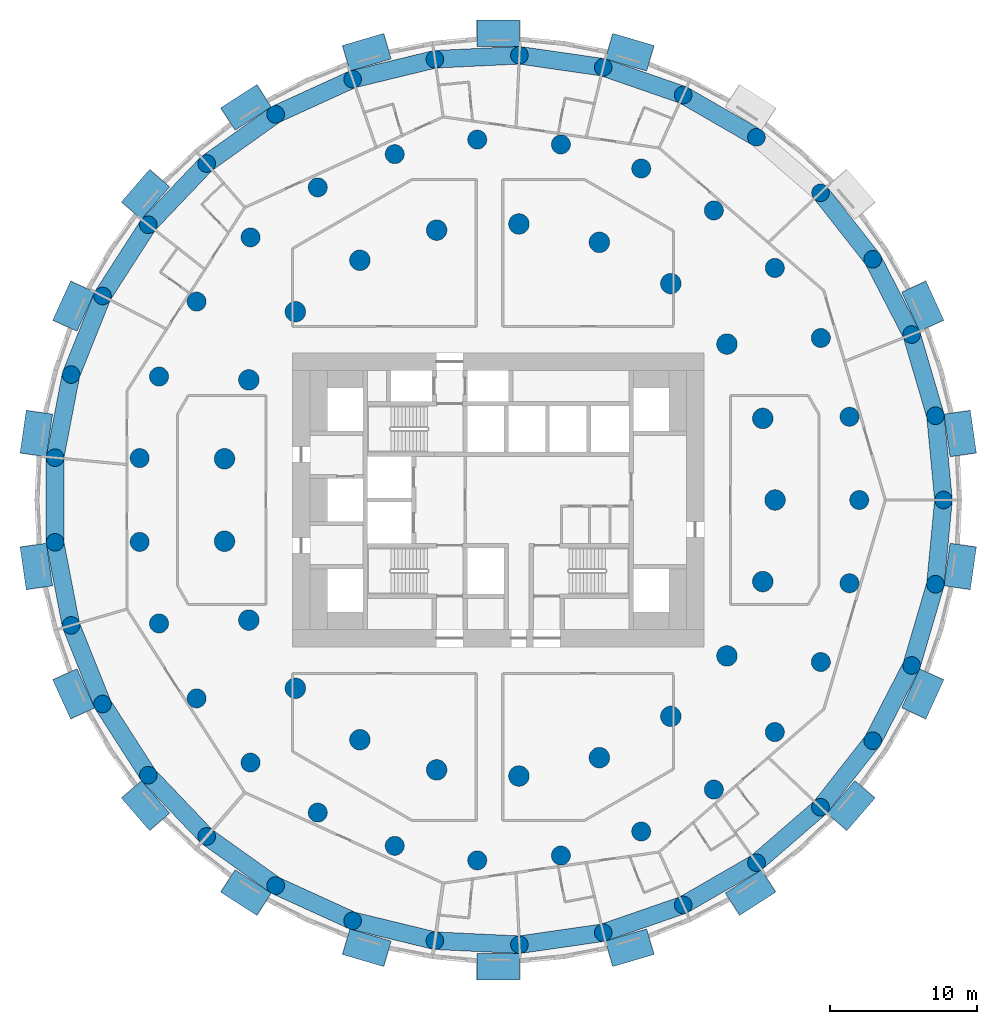
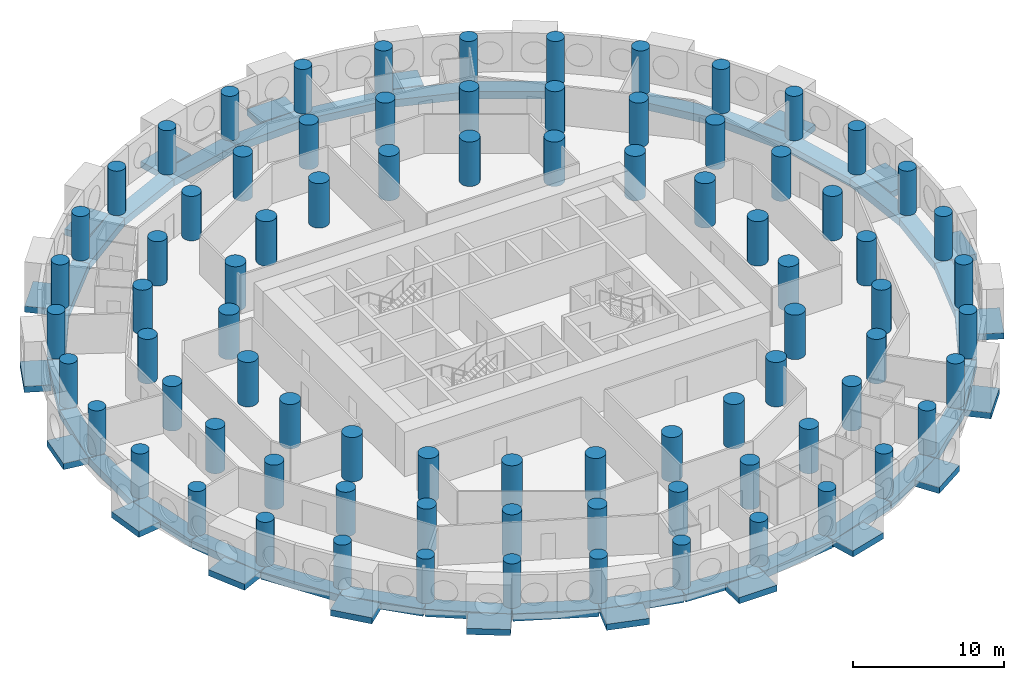
# One storey, part 1 of 11: 81 columns, 52 beams.
"""IFC4 building model written with IfcOpenShell, lengths in metres."""

from ifc_helpers import new_model, si_unit, direction, frame, origin, origin_2d, place, context, subcontext, project, spatial, rectangle, circle, extrude, material, material_profile, profile_set, type_object, element, save


model = new_model("IFC4")

# Units and contexts
model_context = context("Model", 3, precision=1e-05, world=origin(), true_north=direction((0.0, 1.0)))
body_context = subcontext(model_context, "Body", "Model", "MODEL_VIEW")
ifc_project = project(units=[si_unit("LENGTHUNIT", "METRE"), si_unit("AREAUNIT", "SQUARE_METRE"), si_unit("VOLUMEUNIT", "CUBIC_METRE"), si_unit("PLANEANGLEUNIT", "RADIAN"), si_unit("MASSUNIT", "GRAM", prefix="KILO")], contexts=[model_context])

# Site, building, storey
site_placement = place(None, origin())
site = spatial("IfcSite", under=ifc_project, at=site_placement, CompositionType="ELEMENT")
building_placement = place(site_placement, origin())
building = spatial("IfcBuilding", under=site, at=building_placement, Name="Tracery Tower", CompositionType="ELEMENT")
storey_placement = place(building_placement, frame((0.0, 0.0, 100.199951171875)))
storey = spatial("IfcBuildingStorey", under=building, at=storey_placement, Name="L25", CompositionType="ELEMENT", Elevation=100.199951171875)

# Columns
ifc_material_1 = material(Name="Concrete C60/75", Category="concrete")
ifc_material_profile_1 = material_profile(ifc_material_1, circle(Radius=0.60009765625, at=origin_2d()), Name="RC D1200")
ifc_profile_set_1 = profile_set([ifc_material_profile_1], Name="Concrete C60/75")
column_type_1 = type_object("IfcColumnType", Name="Ring 0 column 1200", PredefinedType="COLUMN", material=ifc_profile_set_1)
for number, where, z_axis, x_axis, name in (
    (1, (30.274658203125, 0.0, 0.0), (0.0, 0.0, 1.0), (1.0, 0.0, 0.0), "Ring 0 column 00 at L25"),
    (2, (29.7275390625, 5.7294921875, 0.0), (0.0, 0.0, 1.0), (1.0, 0.0, 0.0), "Ring 0 column 01 at L25"),
    (3, (28.10595703125, 11.251953125, 0.0), (0.0, 0.0, 1.0), (1.0, 0.0, 0.0), "Ring 0 column 02 at L25"),
    (4, (25.468505859375, 16.36767578125, 0.0), (0.0, 0.0, 1.0), (1.0, 0.0, 0.0), "Ring 0 column 03 at L25"),
    (5, (21.910888671875, 20.891845703125, 0.0), (0.0, 0.0, 1.0), (1.0, 0.0, 0.0), "Ring 0 column 04 at L25"),
    (6, (17.56103515625, 24.660888671875, 0.0), (0.0, 0.0, 1.0), (1.0, 0.0, 0.0), "Ring 0 column 05 at L25"),
    (7, (12.576416015625, 27.538818359375, 0.0), (0.0, 0.0, 1.0), (1.0, 0.0, 0.0), "Ring 0 column 06 at L25"),
    (8, (7.137451171875, 29.421142578125, 0.0), (0.0, 0.0, 1.0), (1.0, 0.0, 0.0), "Ring 0 column 07 at L25"),
    (9, (1.4404296875, 30.240234375, 0.0), (0.0, 0.0, 1.0), (1.0, 0.0, 0.0), "Ring 0 column 08 at L25"),
    (10, (-4.30859375, 29.96630859375, 0.0), (0.0, 0.0, 1.0), (1.0, 0.0, 0.0), "Ring 0 column 09 at L25"),
    (11, (-9.90185546875, 28.609619140625, 0.0), (0.0, 0.0, 1.0), (1.0, 0.0, 0.0), "Ring 0 column 10 at L25"),
    (12, (-15.13720703125, 26.218505859375, 0.0), (0.0, 0.0, 1.0), (1.0, 0.0, 0.0), "Ring 0 column 11 at L25"),
    (13, (-19.82568359375, 22.8798828125, 0.0), (0.0, 0.0, 1.0), (1.0, 0.0, 0.0), "Ring 0 column 12 at L25"),
    (14, (-23.79736328125, 18.714599609375, 0.0), (0.0, 0.0, 1.0), (1.0, 0.0, 0.0), "Ring 0 column 13 at L25"),
    (15, (-26.9091796875, 13.87255859375, 0.0), (0.0, 0.0, 1.0), (1.0, 0.0, 0.0), "Ring 0 column 14 at L25"),
    (16, (-29.04833984375, 8.529296875, 0.0), (0.0, 0.0, 1.0), (1.0, 0.0, 0.0), "Ring 0 column 15 at L25"),
    (17, (-30.137451171875, 2.877685546875, 0.0), (0.0, 0.0, 1.0), (1.0, 0.0, 0.0), "Ring 0 column 16 at L25"),
    (18, (-30.137451171875, -2.877685546875, 0.0), (0.0, 0.0, 1.0), (1.0, 0.0, 0.0), "Ring 0 column 17 at L25"),
    (19, (-29.04833984375, -8.529296875, 0.0), (0.0, 0.0, 1.0), (1.0, 0.0, 0.0), "Ring 0 column 18 at L25"),
    (20, (-26.9091796875, -13.87255859375, 0.0), (0.0, 0.0, 1.0), (1.0, 0.0, 0.0), "Ring 0 column 19 at L25"),
    (21, (-23.79736328125, -18.714599609375, 0.0), (0.0, 0.0, 1.0), (1.0, 0.0, 0.0), "Ring 0 column 20 at L25"),
    (22, (-19.82568359375, -22.8798828125, 0.0), (0.0, 0.0, 1.0), (1.0, 0.0, 0.0), "Ring 0 column 21 at L25"),
    (23, (-15.13720703125, -26.218505859375, 0.0), (0.0, 0.0, 1.0), (1.0, 0.0, 0.0), "Ring 0 column 22 at L25"),
    (24, (-9.90185546875, -28.609619140625, 0.0), (0.0, 0.0, 1.0), (1.0, 0.0, 0.0), "Ring 0 column 23 at L25"),
    (25, (-4.30859375, -29.96630859375, 0.0), (0.0, 0.0, 1.0), (1.0, 0.0, 0.0), "Ring 0 column 24 at L25"),
    (26, (1.4404296875, -30.240234375, 0.0), (0.0, 0.0, 1.0), (1.0, 0.0, 0.0), "Ring 0 column 25 at L25"),
    (27, (7.137451171875, -29.421142578125, 0.0), (0.0, 0.0, 1.0), (1.0, 0.0, 0.0), "Ring 0 column 26 at L25"),
    (28, (12.576416015625, -27.538818359375, 0.0), (0.0, 0.0, 1.0), (1.0, 0.0, 0.0), "Ring 0 column 27 at L25"),
    (29, (17.56103515625, -24.660888671875, 0.0), (0.0, 0.0, 1.0), (1.0, 0.0, 0.0), "Ring 0 column 28 at L25"),
    (30, (21.910888671875, -20.891845703125, 0.0), (0.0, 0.0, 1.0), (1.0, 0.0, 0.0), "Ring 0 column 29 at L25"),
    (31, (25.468505859375, -16.36767578125, 0.0), (0.0, 0.0, 1.0), (1.0, 0.0, 0.0), "Ring 0 column 30 at L25"),
    (32, (28.10595703125, -11.251953125, 0.0), (0.0, 0.0, 1.0), (1.0, 0.0, 0.0), "Ring 0 column 31 at L25"),
    (33, (29.7275390625, -5.7294921875, 0.0), (0.0, 0.0, 1.0), (1.0, 0.0, 0.0), "Ring 0 column 32 at L25"),
):
    element("IfcColumn", number, at=place(storey_placement, frame(where, z_axis=z_axis, x_axis=x_axis)), inside=storey, type_object=column_type_1, Name=name, PredefinedType="COLUMN", context=body_context, shape_type="SweptSolid", body=[
        extrude(circle(Radius=0.60009765625, at=origin_2d()), origin(), (0.0, 0.0, 1.0), 3.60009765625),
    ])
ifc_material_2 = material(Name="Concrete C60/75", Category="concrete")
ifc_material_profile_2 = material_profile(ifc_material_2, circle(Radius=0.64990234375, at=origin_2d()), Name="RC D1300")
ifc_profile_set_2 = profile_set([ifc_material_profile_2], Name="Concrete C60/75")
column_type_2 = type_object("IfcColumnType", Name="Ring 1 column 1300", PredefinedType="COLUMN", material=ifc_profile_set_2)
for number, where, z_axis, x_axis, name in (
    (34, (24.547607421875, 0.0, 0.0), (0.0, 0.0, 1.0), (1.0, 0.0, 0.0), "Ring 1 column 00 at L25"),
    (35, (23.885986328125, 5.6611328125, 0.0), (0.0, 0.0, 1.0), (1.0, 0.0, 0.0), "Ring 1 column 01 at L25"),
    (36, (21.9365234375, 11.01708984375, 0.0), (0.0, 0.0, 1.0), (1.0, 0.0, 0.0), "Ring 1 column 02 at L25"),
    (37, (18.8046875, 15.779052734375, 0.0), (0.0, 0.0, 1.0), (1.0, 0.0, 0.0), "Ring 1 column 03 at L25"),
    (38, (14.658935546875, 19.690185546875, 0.0), (0.0, 0.0, 1.0), (1.0, 0.0, 0.0), "Ring 1 column 04 at L25"),
    (39, (9.722900390625, 22.5400390625, 0.0), (0.0, 0.0, 1.0), (1.0, 0.0, 0.0), "Ring 1 column 05 at L25"),
    (40, (4.2626953125, 24.1748046875, 0.0), (0.0, 0.0, 1.0), (1.0, 0.0, 0.0), "Ring 1 column 06 at L25"),
    (41, (-1.42724609375, 24.506103515625, 0.0), (0.0, 0.0, 1.0), (1.0, 0.0, 0.0), "Ring 1 column 07 at L25"),
    (42, (-7.040283203125, 23.516357421875, 0.0), (0.0, 0.0, 1.0), (1.0, 0.0, 0.0), "Ring 1 column 08 at L25"),
    (43, (-12.273681640625, 21.2587890625, 0.0), (0.0, 0.0, 1.0), (1.0, 0.0, 0.0), "Ring 1 column 09 at L25"),
    (44, (-16.845703125, 17.855224609375, 0.0), (0.0, 0.0, 1.0), (1.0, 0.0, 0.0), "Ring 1 column 10 at L25"),
    (45, (-20.50927734375, 13.4892578125, 0.0), (0.0, 0.0, 1.0), (1.0, 0.0, 0.0), "Ring 1 column 11 at L25"),
    (46, (-23.0673828125, 8.395751953125, 0.0), (0.0, 0.0, 1.0), (1.0, 0.0, 0.0), "Ring 1 column 12 at L25"),
    (47, (-24.381591796875, 2.849853515625, 0.0), (0.0, 0.0, 1.0), (1.0, 0.0, 0.0), "Ring 1 column 13 at L25"),
    (48, (-24.381591796875, -2.849853515625, 0.0), (0.0, 0.0, 1.0), (1.0, 0.0, 0.0), "Ring 1 column 14 at L25"),
    (49, (-23.0673828125, -8.395751953125, 0.0), (0.0, 0.0, 1.0), (1.0, 0.0, 0.0), "Ring 1 column 15 at L25"),
    (50, (-20.50927734375, -13.4892578125, 0.0), (0.0, 0.0, 1.0), (1.0, 0.0, 0.0), "Ring 1 column 16 at L25"),
    (51, (-16.845703125, -17.85546875, 0.0), (0.0, 0.0, 1.0), (1.0, 0.0, 0.0), "Ring 1 column 17 at L25"),
    (52, (-12.27392578125, -21.2587890625, 0.0), (0.0, 0.0, 1.0), (1.0, 0.0, 0.0), "Ring 1 column 18 at L25"),
    (53, (-7.040283203125, -23.516357421875, 0.0), (0.0, 0.0, 1.0), (1.0, 0.0, 0.0), "Ring 1 column 19 at L25"),
    (54, (-1.42724609375, -24.506103515625, 0.0), (0.0, 0.0, 1.0), (1.0, 0.0, 0.0), "Ring 1 column 20 at L25"),
    (55, (4.2626953125, -24.1748046875, 0.0), (0.0, 0.0, 1.0), (1.0, 0.0, 0.0), "Ring 1 column 21 at L25"),
    (56, (9.722900390625, -22.5400390625, 0.0), (0.0, 0.0, 1.0), (1.0, 0.0, 0.0), "Ring 1 column 22 at L25"),
    (57, (14.658935546875, -19.690185546875, 0.0), (0.0, 0.0, 1.0), (1.0, 0.0, 0.0), "Ring 1 column 23 at L25"),
    (58, (18.8046875, -15.779052734375, 0.0), (0.0, 0.0, 1.0), (1.0, 0.0, 0.0), "Ring 1 column 24 at L25"),
    (59, (21.9365234375, -11.01708984375, 0.0), (0.0, 0.0, 1.0), (1.0, 0.0, 0.0), "Ring 1 column 25 at L25"),
    (60, (23.885986328125, -5.6611328125, 0.0), (0.0, 0.0, 1.0), (1.0, 0.0, 0.0), "Ring 1 column 26 at L25"),
):
    element("IfcColumn", number, at=place(storey_placement, frame(where, z_axis=z_axis, x_axis=x_axis)), inside=storey, type_object=column_type_2, Name=name, PredefinedType="COLUMN", context=body_context, shape_type="SweptSolid", body=[
        extrude(circle(Radius=0.64990234375, at=origin_2d()), origin(), (0.0, 0.0, 1.0), 3.60009765625),
    ])
ifc_material_3 = material(Name="Concrete C60/75", Category="concrete")
ifc_material_profile_3 = material_profile(ifc_material_3, circle(Radius=0.699951171875, at=origin_2d()), Name="RC D1400")
ifc_profile_set_3 = profile_set([ifc_material_profile_3], Name="Concrete C60/75")
column_type_3 = type_object("IfcColumnType", Name="Ring 2 column 1400", PredefinedType="COLUMN", material=ifc_profile_set_3)
for number, where, z_axis, x_axis, name in (
    (61, (18.822265625, 0.0, 0.0), (0.0, 0.0, 1.0), (1.0, 0.0, 0.0), "Ring 2 column 00 at L25"),
    (62, (17.986083984375, 5.5478515625, 0.0), (0.0, 0.0, 1.0), (1.0, 0.0, 0.0), "Ring 2 column 01 at L25"),
    (63, (15.551513671875, 10.602783203125, 0.0), (0.0, 0.0, 1.0), (1.0, 0.0, 0.0), "Ring 2 column 02 at L25"),
    (64, (11.7353515625, 14.7158203125, 0.0), (0.0, 0.0, 1.0), (1.0, 0.0, 0.0), "Ring 2 column 03 at L25"),
    (65, (6.87646484375, 17.52099609375, 0.0), (0.0, 0.0, 1.0), (1.0, 0.0, 0.0), "Ring 2 column 04 at L25"),
    (66, (1.406494140625, 18.76953125, 0.0), (0.0, 0.0, 1.0), (1.0, 0.0, 0.0), "Ring 2 column 05 at L25"),
    (67, (-4.188232421875, 18.350341796875, 0.0), (0.0, 0.0, 1.0), (1.0, 0.0, 0.0), "Ring 2 column 06 at L25"),
    (68, (-9.4111328125, 16.300537109375, 0.0), (0.0, 0.0, 1.0), (1.0, 0.0, 0.0), "Ring 2 column 07 at L25"),
    (69, (-13.797607421875, 12.802490234375, 0.0), (0.0, 0.0, 1.0), (1.0, 0.0, 0.0), "Ring 2 column 08 at L25"),
    (70, (-16.958251953125, 8.16650390625, 0.0), (0.0, 0.0, 1.0), (1.0, 0.0, 0.0), "Ring 2 column 09 at L25"),
    (71, (-18.612060546875, 2.805419921875, 0.0), (0.0, 0.0, 1.0), (1.0, 0.0, 0.0), "Ring 2 column 10 at L25"),
    (72, (-18.612060546875, -2.805419921875, 0.0), (0.0, 0.0, 1.0), (1.0, 0.0, 0.0), "Ring 2 column 11 at L25"),
    (73, (-16.958251953125, -8.166748046875, 0.0), (0.0, 0.0, 1.0), (1.0, 0.0, 0.0), "Ring 2 column 12 at L25"),
    (74, (-13.797607421875, -12.80224609375, 0.0), (0.0, 0.0, 1.0), (1.0, 0.0, 0.0), "Ring 2 column 13 at L25"),
    (75, (-9.4111328125, -16.300537109375, 0.0), (0.0, 0.0, 1.0), (1.0, 0.0, 0.0), "Ring 2 column 14 at L25"),
    (76, (-4.188232421875, -18.350341796875, 0.0), (0.0, 0.0, 1.0), (1.0, 0.0, 0.0), "Ring 2 column 15 at L25"),
    (77, (1.406494140625, -18.76953125, 0.0), (0.0, 0.0, 1.0), (1.0, 0.0, 0.0), "Ring 2 column 16 at L25"),
    (78, (6.87646484375, -17.52099609375, 0.0), (0.0, 0.0, 1.0), (1.0, 0.0, 0.0), "Ring 2 column 17 at L25"),
    (79, (11.7353515625, -14.7158203125, 0.0), (0.0, 0.0, 1.0), (1.0, 0.0, 0.0), "Ring 2 column 18 at L25"),
    (80, (15.551513671875, -10.602783203125, 0.0), (0.0, 0.0, 1.0), (1.0, 0.0, 0.0), "Ring 2 column 19 at L25"),
    (81, (17.986083984375, -5.5478515625, 0.0), (0.0, 0.0, 1.0), (1.0, 0.0, 0.0), "Ring 2 column 20 at L25"),
):
    element("IfcColumn", number, at=place(storey_placement, frame(where, z_axis=z_axis, x_axis=x_axis)), inside=storey, type_object=column_type_3, Name=name, PredefinedType="COLUMN", context=body_context, shape_type="SweptSolid", body=[
        extrude(circle(Radius=0.699951171875, at=origin_2d()), origin(), (0.0, 0.0, 1.0), 3.60009765625),
    ])

# Beams
ifc_material_4 = material(Name="Concrete C60/75", Category="concrete")
ifc_material_profile_4 = material_profile(ifc_material_4, rectangle(XDim=1.81005859375, YDim=0.5, at=origin_2d()), Name="RC 1810x500")
ifc_profile_set_4 = profile_set([ifc_material_profile_4], Name="Concrete C60/75")
beam_type_1 = type_object("IfcBeamType", Name="Bay seat beam 1810 x 500", PredefinedType="BEAM", material=ifc_profile_set_4)
beam_1_placement = place(storey_placement, frame((31.61865234375, 3.071044921875, -0.699951171875), z_axis=(-0.142299174504, 0.989823693864, 0.0), x_axis=(-0.989823693864, -0.142299174504, 0.0)))
element("IfcBeam", 82, at=beam_1_placement, inside=storey, type_object=beam_type_1, Name="Bay seat beam 2 at L25", PredefinedType="BEAM", context=body_context, shape_type="SweptSolid", body=[
    extrude(rectangle(XDim=1.81005859375, YDim=0.5, at=origin_2d()), origin(), (0.0, 0.0, 1.0), 2.920166015625),
])
beam_2_placement = place(storey_placement, frame((29.47265625, 11.854736328125, -0.699951171875), z_axis=(-0.415396137257, 0.909640615382, 0.0), x_axis=(-0.909640615382, -0.415396137257, 0.0)))
element("IfcBeam", 83, at=beam_2_placement, inside=storey, type_object=beam_type_1, Name="Bay seat beam 5 at L25", PredefinedType="BEAM", context=body_context, shape_type="SweptSolid", body=[
    extrude(rectangle(XDim=1.81005859375, YDim=0.5, at=origin_2d()), origin(), (0.0, 0.0, 1.0), 2.919921875),
])
beam_3_placement = place(storey_placement, frame((10.34130859375, 30.037109375, -0.699951171875), z_axis=(-0.959485235434, 0.281758909325, 0.0), x_axis=(-0.281758909325, -0.959485235434, 0.0)))
element("IfcBeam", 84, at=beam_3_placement, inside=storey, type_object=beam_type_1, Name="Bay seat beam 14 at L25", PredefinedType="BEAM", context=body_context, shape_type="SweptSolid", body=[
    extrude(rectangle(XDim=1.81005859375, YDim=0.5, at=origin_2d()), origin(), (0.0, 0.0, 1.0), 2.920166015625),
])
beam_4_placement = place(storey_placement, frame((1.4599609375, 31.73388671875, -0.699951171875), z_axis=(-1.0, 0.0, 0.0), x_axis=(0.0, -1.0, 0.0)))
element("IfcBeam", 85, at=beam_4_placement, inside=storey, type_object=beam_type_1, Name="Bay seat beam 17 at L25", PredefinedType="BEAM", context=body_context, shape_type="SweptSolid", body=[
    extrude(rectangle(XDim=1.81005859375, YDim=0.5, at=origin_2d()), origin(), (0.0, 0.0, 1.0), 2.919921875),
])
beam_5_placement = place(storey_placement, frame((-7.53955078125, 30.85986328125, -0.699951171875), z_axis=(-0.959485235434, -0.281758909325, 0.0), x_axis=(0.281758909325, -0.959485235434, 0.0)))
element("IfcBeam", 86, at=beam_5_placement, inside=storey, type_object=beam_type_1, Name="Bay seat beam 20 at L25", PredefinedType="BEAM", context=body_context, shape_type="SweptSolid", body=[
    extrude(rectangle(XDim=1.81005859375, YDim=0.5, at=origin_2d()), origin(), (0.0, 0.0, 1.0), 2.920166015625),
])
for number, where, z_axis, x_axis, name in (
    (87, (-15.928466796875, 27.485595703125, -0.699951171875), (-0.84124638673, -0.540651936845, 0.0), (0.540651936845, -0.84124638673, 0.0), "Bay seat beam 23 at L25"),
    (88, (-23.02685546875, 21.884765625, -0.699951171875), (-0.65484458844, -0.755763564212, 0.0), (0.755763564212, -0.65484458844, 0.0), "Bay seat beam 26 at L25"),
    (89, (-28.259765625, 14.5107421875, -0.699951171875), (-0.415396137257, -0.909640615382, 0.0), (0.909640615382, -0.415396137257, 0.0), "Bay seat beam 29 at L25"),
):
    element("IfcBeam", number, at=place(storey_placement, frame(where, z_axis=z_axis, x_axis=x_axis)), inside=storey, type_object=beam_type_1, Name=name, PredefinedType="BEAM", context=body_context, shape_type="SweptSolid", body=[
        extrude(rectangle(XDim=1.81005859375, YDim=0.5, at=origin_2d()), origin(), (0.0, 0.0, 1.0), 2.919921875),
    ])
for number, where, z_axis, x_axis, name in (
    (90, (-31.203125, 5.96142578125, -0.699951171875), (-0.142299174504, -0.989823693864, 0.0), (0.989823693864, -0.142299174504, 0.0), "Bay seat beam 32 at L25"),
    (91, (-31.61865234375, -3.071044921875, -0.699951171875), (0.142299174504, -0.989823693864, 0.0), (0.989823693864, 0.142299174504, 0.0), "Bay seat beam 35 at L25"),
):
    element("IfcBeam", number, at=place(storey_placement, frame(where, z_axis=z_axis, x_axis=x_axis)), inside=storey, type_object=beam_type_1, Name=name, PredefinedType="BEAM", context=body_context, shape_type="SweptSolid", body=[
        extrude(rectangle(XDim=1.81005859375, YDim=0.5, at=origin_2d()), origin(), (0.0, 0.0, 1.0), 2.920166015625),
    ])
for number, where, z_axis, x_axis, name in (
    (92, (-29.47265625, -11.854736328125, -0.699951171875), (0.415396137257, -0.909640615382, 0.0), (0.909640615382, 0.415396137257, 0.0), "Bay seat beam 38 at L25"),
    (93, (-24.93896484375, -19.677978515625, -0.699951171875), (0.65484458844, -0.755763564212, 0.0), (0.755763564212, 0.65484458844, 0.0), "Bay seat beam 41 at L25"),
    (94, (-18.384765625, -25.906982421875, -0.699951171875), (0.84124638673, -0.540651936845, 0.0), (0.540651936845, 0.84124638673, 0.0), "Bay seat beam 44 at L25"),
):
    element("IfcBeam", number, at=place(storey_placement, frame(where, z_axis=z_axis, x_axis=x_axis)), inside=storey, type_object=beam_type_1, Name=name, PredefinedType="BEAM", context=body_context, shape_type="SweptSolid", body=[
        extrude(rectangle(XDim=1.81005859375, YDim=0.5, at=origin_2d()), origin(), (0.0, 0.0, 1.0), 2.919921875),
    ])
beam_6_placement = place(storey_placement, frame((-10.34130859375, -30.037109375, -0.699951171875), z_axis=(0.959485235434, -0.281758909325, 0.0), x_axis=(0.281758909325, 0.959485235434, 0.0)))
element("IfcBeam", 95, at=beam_6_placement, inside=storey, type_object=beam_type_1, Name="Bay seat beam 47 at L25", PredefinedType="BEAM", context=body_context, shape_type="SweptSolid", body=[
    extrude(rectangle(XDim=1.81005859375, YDim=0.5, at=origin_2d()), origin(), (0.0, 0.0, 1.0), 2.920166015625),
])
beam_7_placement = place(storey_placement, frame((-1.4599609375, -31.73388671875, -0.699951171875), z_axis=(1.0, 0.0, 0.0), x_axis=(0.0, 1.0, 0.0)))
element("IfcBeam", 96, at=beam_7_placement, inside=storey, type_object=beam_type_1, Name="Bay seat beam 50 at L25", PredefinedType="BEAM", context=body_context, shape_type="SweptSolid", body=[
    extrude(rectangle(XDim=1.81005859375, YDim=0.5, at=origin_2d()), origin(), (0.0, 0.0, 1.0), 2.919921875),
])
beam_8_placement = place(storey_placement, frame((7.53955078125, -30.85986328125, -0.699951171875), z_axis=(0.959485235434, 0.281758909325, 0.0), x_axis=(-0.281758909325, 0.959485235434, 0.0)))
element("IfcBeam", 97, at=beam_8_placement, inside=storey, type_object=beam_type_1, Name="Bay seat beam 53 at L25", PredefinedType="BEAM", context=body_context, shape_type="SweptSolid", body=[
    extrude(rectangle(XDim=1.81005859375, YDim=0.5, at=origin_2d()), origin(), (0.0, 0.0, 1.0), 2.920166015625),
])
for number, where, z_axis, x_axis, name in (
    (98, (15.928466796875, -27.485595703125, -0.699951171875), (0.84124638673, 0.540651936845, 0.0), (-0.540651936845, 0.84124638673, 0.0), "Bay seat beam 56 at L25"),
    (99, (23.02685546875, -21.884765625, -0.699951171875), (0.65484458844, 0.755763564212, 0.0), (-0.755763564212, 0.65484458844, 0.0), "Bay seat beam 59 at L25"),
    (100, (28.259765625, -14.5107421875, -0.699951171875), (0.415396137257, 0.909640615382, 0.0), (-0.909640615382, 0.415396137257, 0.0), "Bay seat beam 62 at L25"),
):
    element("IfcBeam", number, at=place(storey_placement, frame(where, z_axis=z_axis, x_axis=x_axis)), inside=storey, type_object=beam_type_1, Name=name, PredefinedType="BEAM", context=body_context, shape_type="SweptSolid", body=[
        extrude(rectangle(XDim=1.81005859375, YDim=0.5, at=origin_2d()), origin(), (0.0, 0.0, 1.0), 2.919921875),
    ])
beam_9_placement = place(storey_placement, frame((31.203125, -5.96142578125, -0.699951171875), z_axis=(0.142299174504, 0.989823693864, 0.0), x_axis=(-0.989823693864, 0.142299174504, 0.0)))
element("IfcBeam", 101, at=beam_9_placement, inside=storey, type_object=beam_type_1, Name="Bay seat beam 65 at L25", PredefinedType="BEAM", context=body_context, shape_type="SweptSolid", body=[
    extrude(rectangle(XDim=1.81005859375, YDim=0.5, at=origin_2d()), origin(), (0.0, 0.0, 1.0), 2.920166015625),
])
ifc_material_5 = material(Name="Concrete C60/75", Category="concrete")
ifc_material_profile_5 = material_profile(ifc_material_5, rectangle(XDim=1.199951171875, YDim=0.60009765625, at=origin_2d()), Name="RC 1200x600")
ifc_profile_set_5 = profile_set([ifc_material_profile_5], Name="Concrete C60/75")
beam_type_2 = type_object("IfcBeamType", Name="Perimeter band beam 1200x600", PredefinedType="BEAM", material=ifc_profile_set_5)
for number, where, z_axis, x_axis, name in (
    (102, (30.274658203125, 0.0, -0.75), (-0.095059309677, 0.995471610667, 0.0), (-0.995471610667, -0.095059309677, 0.0), "Perimeter beam 0.00 under L25"),
    (103, (29.7275390625, 5.7294921875, -0.75), (-0.281739145896, 0.959491038869, 0.0), (-0.959491038869, -0.281739145896, 0.0), "Perimeter beam 0.01 under L25"),
    (104, (28.10595703125, 11.251953125, -0.75), (-0.458242010493, 0.88882746347, 0.0), (-0.88882746347, -0.458242010493, 0.0), "Perimeter beam 0.02 under L25"),
):
    element("IfcBeam", number, at=place(storey_placement, frame(where, z_axis=z_axis, x_axis=x_axis)), inside=storey, type_object=beam_type_2, Name=name, PredefinedType="BEAM", context=body_context, shape_type="SweptSolid", body=[
        extrude(rectangle(XDim=1.199951171875, YDim=0.60009765625, at=origin_2d()), origin(), (0.0, 0.0, 1.0), 5.755615234375),
    ])
beam_10_placement = place(storey_placement, frame((25.468505859375, 16.36767578125, -0.75), z_axis=(-0.618134362257, 0.786072458618, 0.0), x_axis=(-0.786072458618, -0.618134362257, 0.0)))
element("IfcBeam", 105, at=beam_10_placement, inside=storey, type_object=beam_type_2, Name="Perimeter beam 0.03 under L25", PredefinedType="BEAM", context=body_context, shape_type="SweptSolid", body=[
    extrude(rectangle(XDim=1.199951171875, YDim=0.60009765625, at=origin_2d()), origin(), (0.0, 0.0, 1.0), 5.75537109375),
])
beam_11_placement = place(storey_placement, frame((17.56103515625, 24.660888671875, -0.75), z_axis=(-0.866021003874, 0.50000762079, 0.0), x_axis=(-0.50000762079, -0.866021003874, 0.0)))
element("IfcBeam", 106, at=beam_11_placement, inside=storey, type_object=beam_type_2, Name="Perimeter beam 0.05 under L25", PredefinedType="BEAM", context=body_context, shape_type="SweptSolid", body=[
    extrude(rectangle(XDim=1.199951171875, YDim=0.60009765625, at=origin_2d()), origin(), (0.0, 0.0, 1.0), 5.755859375),
])
beam_12_placement = place(storey_placement, frame((12.576416015625, 27.538818359375, -0.75), z_axis=(-0.945007252869, 0.327049372458, 0.0), x_axis=(-0.327049372458, -0.945007252869, 0.0)))
element("IfcBeam", 107, at=beam_12_placement, inside=storey, type_object=beam_type_2, Name="Perimeter beam 0.06 under L25", PredefinedType="BEAM", context=body_context, shape_type="SweptSolid", body=[
    extrude(rectangle(XDim=1.199951171875, YDim=0.60009765625, at=origin_2d()), origin(), (0.0, 0.0, 1.0), 5.75537109375),
])
for number, where, z_axis, x_axis, name in (
    (108, (7.137451171875, 29.421142578125, -0.75), (-0.989821839174, 0.142312075013, 0.0), (-0.142312075013, -0.989821839174, 0.0), "Perimeter beam 0.07 under L25"),
    (109, (1.4404296875, 30.240234375, -0.75), (-0.998866793759, -0.047593364303, 0.0), (0.047593364303, -0.998866793759, 0.0), "Perimeter beam 0.08 under L25"),
):
    element("IfcBeam", number, at=place(storey_placement, frame(where, z_axis=z_axis, x_axis=x_axis)), inside=storey, type_object=beam_type_2, Name=name, PredefinedType="BEAM", context=body_context, shape_type="SweptSolid", body=[
        extrude(rectangle(XDim=1.199951171875, YDim=0.60009765625, at=origin_2d()), origin(), (0.0, 0.0, 1.0), 5.755615234375),
    ])
beam_13_placement = place(storey_placement, frame((-4.30859375, 29.96630859375, -0.75), z_axis=(-0.971820371509, -0.235722645328, 0.0), x_axis=(0.235722645328, -0.971820371509, 0.0)))
element("IfcBeam", 110, at=beam_13_placement, inside=storey, type_object=beam_type_2, Name="Perimeter beam 0.09 under L25", PredefinedType="BEAM", context=body_context, shape_type="SweptSolid", body=[
    extrude(rectangle(XDim=1.199951171875, YDim=0.60009765625, at=origin_2d()), origin(), (0.0, 0.0, 1.0), 5.75537109375),
])
for number, where, z_axis, x_axis, name in (
    (111, (-9.90185546875, 28.609619140625, -0.75), (-0.909618316865, -0.415444963411, 0.0), (0.415444963411, -0.909618316865, 0.0), "Perimeter beam 0.10 under L25"),
    (112, (-15.13720703125, 26.218505859375, -0.75), (-0.8145780864, -0.580053912285, 0.0), (0.580053912285, -0.8145780864, 0.0), "Perimeter beam 0.11 under L25"),
):
    element("IfcBeam", number, at=place(storey_placement, frame(where, z_axis=z_axis, x_axis=x_axis)), inside=storey, type_object=beam_type_2, Name=name, PredefinedType="BEAM", context=body_context, shape_type="SweptSolid", body=[
        extrude(rectangle(XDim=1.199951171875, YDim=0.60009765625, at=origin_2d()), origin(), (0.0, 0.0, 1.0), 5.755615234375),
    ])
beam_14_placement = place(storey_placement, frame((-19.82568359375, 22.8798828125, -0.75), z_axis=(-0.690087218267, -0.723726212863, 0.0), x_axis=(0.723726212863, -0.690087218267, 0.0)))
element("IfcBeam", 113, at=beam_14_placement, inside=storey, type_object=beam_type_2, Name="Perimeter beam 0.12 under L25", PredefinedType="BEAM", context=body_context, shape_type="SweptSolid", body=[
    extrude(rectangle(XDim=1.199951171875, YDim=0.60009765625, at=origin_2d()), origin(), (0.0, 0.0, 1.0), 5.75537109375),
])
beam_15_placement = place(storey_placement, frame((-23.79736328125, 18.714599609375, -0.75), z_axis=(-0.540643964602, -0.841251510274, 0.0), x_axis=(0.841251510274, -0.540643964602, 0.0)))
element("IfcBeam", 114, at=beam_15_placement, inside=storey, type_object=beam_type_2, Name="Perimeter beam 0.13 under L25", PredefinedType="BEAM", context=body_context, shape_type="SweptSolid", body=[
    extrude(rectangle(XDim=1.199951171875, YDim=0.60009765625, at=origin_2d()), origin(), (0.0, 0.0, 1.0), 5.755859375),
])
for number, where, z_axis, x_axis, name in (
    (115, (-26.9091796875, 13.87255859375, -0.75), (-0.371668572289, -0.928365484264, 0.0), (0.928365484264, -0.371668572289, 0.0), "Perimeter beam 0.14 under L25"),
    (116, (-29.04833984375, 8.529296875, -0.75), (-0.189226539295, -0.981933458451, 0.0), (0.981933458451, -0.189226539295, 0.0), "Perimeter beam 0.15 under L25"),
):
    element("IfcBeam", number, at=place(storey_placement, frame(where, z_axis=z_axis, x_axis=x_axis)), inside=storey, type_object=beam_type_2, Name=name, PredefinedType="BEAM", context=body_context, shape_type="SweptSolid", body=[
        extrude(rectangle(XDim=1.199951171875, YDim=0.60009765625, at=origin_2d()), origin(), (0.0, 0.0, 1.0), 5.755615234375),
    ])
beam_16_placement = place(storey_placement, frame((-30.137451171875, 2.877685546875, -0.75), z_axis=(0.0, -1.0, 0.0), x_axis=(1.0, 0.0, 0.0)))
element("IfcBeam", 117, at=beam_16_placement, inside=storey, type_object=beam_type_2, Name="Perimeter beam 0.16 under L25", PredefinedType="BEAM", context=body_context, shape_type="SweptSolid", body=[
    extrude(rectangle(XDim=1.199951171875, YDim=0.60009765625, at=origin_2d()), origin(), (0.0, 0.0, 1.0), 5.75537109375),
])
for number, where, z_axis, x_axis, name in (
    (118, (-30.137451171875, -2.877685546875, -0.75), (0.189226539295, -0.981933458451, 0.0), (0.981933458451, 0.189226539295, 0.0), "Perimeter beam 0.17 under L25"),
    (119, (-29.04833984375, -8.529296875, -0.75), (0.371668572289, -0.928365484264, 0.0), (0.928365484264, 0.371668572289, 0.0), "Perimeter beam 0.18 under L25"),
):
    element("IfcBeam", number, at=place(storey_placement, frame(where, z_axis=z_axis, x_axis=x_axis)), inside=storey, type_object=beam_type_2, Name=name, PredefinedType="BEAM", context=body_context, shape_type="SweptSolid", body=[
        extrude(rectangle(XDim=1.199951171875, YDim=0.60009765625, at=origin_2d()), origin(), (0.0, 0.0, 1.0), 5.755615234375),
    ])
beam_17_placement = place(storey_placement, frame((-26.9091796875, -13.87255859375, -0.75), z_axis=(0.540643964602, -0.841251510274, 0.0), x_axis=(0.841251510274, 0.540643964602, 0.0)))
element("IfcBeam", 120, at=beam_17_placement, inside=storey, type_object=beam_type_2, Name="Perimeter beam 0.19 under L25", PredefinedType="BEAM", context=body_context, shape_type="SweptSolid", body=[
    extrude(rectangle(XDim=1.199951171875, YDim=0.60009765625, at=origin_2d()), origin(), (0.0, 0.0, 1.0), 5.755859375),
])
beam_18_placement = place(storey_placement, frame((-23.79736328125, -18.714599609375, -0.75), z_axis=(0.690087218267, -0.723726212863, 0.0), x_axis=(0.723726212863, 0.690087218267, 0.0)))
element("IfcBeam", 121, at=beam_18_placement, inside=storey, type_object=beam_type_2, Name="Perimeter beam 0.20 under L25", PredefinedType="BEAM", context=body_context, shape_type="SweptSolid", body=[
    extrude(rectangle(XDim=1.199951171875, YDim=0.60009765625, at=origin_2d()), origin(), (0.0, 0.0, 1.0), 5.75537109375),
])
for number, where, z_axis, x_axis, name in (
    (122, (-19.82568359375, -22.8798828125, -0.75), (0.8145780864, -0.580053912285, 0.0), (0.580053912285, 0.8145780864, 0.0), "Perimeter beam 0.21 under L25"),
    (123, (-15.13720703125, -26.218505859375, -0.75), (0.909618316865, -0.415444963411, 0.0), (0.415444963411, 0.909618316865, 0.0), "Perimeter beam 0.22 under L25"),
):
    element("IfcBeam", number, at=place(storey_placement, frame(where, z_axis=z_axis, x_axis=x_axis)), inside=storey, type_object=beam_type_2, Name=name, PredefinedType="BEAM", context=body_context, shape_type="SweptSolid", body=[
        extrude(rectangle(XDim=1.199951171875, YDim=0.60009765625, at=origin_2d()), origin(), (0.0, 0.0, 1.0), 5.755615234375),
    ])
beam_19_placement = place(storey_placement, frame((-9.90185546875, -28.609619140625, -0.75), z_axis=(0.971820371509, -0.235722645328, 0.0), x_axis=(0.235722645328, 0.971820371509, 0.0)))
element("IfcBeam", 124, at=beam_19_placement, inside=storey, type_object=beam_type_2, Name="Perimeter beam 0.23 under L25", PredefinedType="BEAM", context=body_context, shape_type="SweptSolid", body=[
    extrude(rectangle(XDim=1.199951171875, YDim=0.60009765625, at=origin_2d()), origin(), (0.0, 0.0, 1.0), 5.75537109375),
])
for number, where, z_axis, x_axis, name in (
    (125, (-4.30859375, -29.96630859375, -0.75), (0.998866793759, -0.047593364303, 0.0), (0.047593364303, 0.998866793759, 0.0), "Perimeter beam 0.24 under L25"),
    (126, (1.4404296875, -30.240234375, -0.75), (0.989821839174, 0.142312075013, 0.0), (-0.142312075013, 0.989821839174, 0.0), "Perimeter beam 0.25 under L25"),
):
    element("IfcBeam", number, at=place(storey_placement, frame(where, z_axis=z_axis, x_axis=x_axis)), inside=storey, type_object=beam_type_2, Name=name, PredefinedType="BEAM", context=body_context, shape_type="SweptSolid", body=[
        extrude(rectangle(XDim=1.199951171875, YDim=0.60009765625, at=origin_2d()), origin(), (0.0, 0.0, 1.0), 5.755615234375),
    ])
beam_20_placement = place(storey_placement, frame((7.137451171875, -29.421142578125, -0.75), z_axis=(0.945007252869, 0.327049372458, 0.0), x_axis=(-0.327049372458, 0.945007252869, 0.0)))
element("IfcBeam", 127, at=beam_20_placement, inside=storey, type_object=beam_type_2, Name="Perimeter beam 0.26 under L25", PredefinedType="BEAM", context=body_context, shape_type="SweptSolid", body=[
    extrude(rectangle(XDim=1.199951171875, YDim=0.60009765625, at=origin_2d()), origin(), (0.0, 0.0, 1.0), 5.75537109375),
])
beam_21_placement = place(storey_placement, frame((12.576416015625, -27.538818359375, -0.75), z_axis=(0.866021003874, 0.50000762079, 0.0), x_axis=(-0.50000762079, 0.866021003874, 0.0)))
element("IfcBeam", 128, at=beam_21_placement, inside=storey, type_object=beam_type_2, Name="Perimeter beam 0.27 under L25", PredefinedType="BEAM", context=body_context, shape_type="SweptSolid", body=[
    extrude(rectangle(XDim=1.199951171875, YDim=0.60009765625, at=origin_2d()), origin(), (0.0, 0.0, 1.0), 5.755859375),
])
beam_22_placement = place(storey_placement, frame((17.56103515625, -24.660888671875, -0.75), z_axis=(0.755760456715, 0.65484817482, 0.0), x_axis=(-0.65484817482, 0.755760456715, 0.0)))
element("IfcBeam", 129, at=beam_22_placement, inside=storey, type_object=beam_type_2, Name="Perimeter beam 0.28 under L25", PredefinedType="BEAM", context=body_context, shape_type="SweptSolid", body=[
    extrude(rectangle(XDim=1.199951171875, YDim=0.60009765625, at=origin_2d()), origin(), (0.0, 0.0, 1.0), 5.755615234375),
])
beam_23_placement = place(storey_placement, frame((21.910888671875, -20.891845703125, -0.75), z_axis=(0.618134362257, 0.786072458618, 0.0), x_axis=(-0.786072458618, 0.618134362257, 0.0)))
element("IfcBeam", 130, at=beam_23_placement, inside=storey, type_object=beam_type_2, Name="Perimeter beam 0.29 under L25", PredefinedType="BEAM", context=body_context, shape_type="SweptSolid", body=[
    extrude(rectangle(XDim=1.199951171875, YDim=0.60009765625, at=origin_2d()), origin(), (0.0, 0.0, 1.0), 5.75537109375),
])
for number, where, z_axis, x_axis, name in (
    (131, (25.468505859375, -16.36767578125, -0.75), (0.458242010493, 0.88882746347, 0.0), (-0.88882746347, 0.458242010493, 0.0), "Perimeter beam 0.30 under L25"),
    (132, (28.10595703125, -11.251953125, -0.75), (0.281739145896, 0.959491038869, 0.0), (-0.959491038869, 0.281739145896, 0.0), "Perimeter beam 0.31 under L25"),
    (133, (29.7275390625, -5.7294921875, -0.75), (0.095059309677, 0.995471610667, 0.0), (-0.995471610667, 0.095059309677, 0.0), "Perimeter beam 0.32 under L25"),
):
    element("IfcBeam", number, at=place(storey_placement, frame(where, z_axis=z_axis, x_axis=x_axis)), inside=storey, type_object=beam_type_2, Name=name, PredefinedType="BEAM", context=body_context, shape_type="SweptSolid", body=[
        extrude(rectangle(XDim=1.199951171875, YDim=0.60009765625, at=origin_2d()), origin(), (0.0, 0.0, 1.0), 5.755615234375),
    ])

save(model, "model.ifc")
